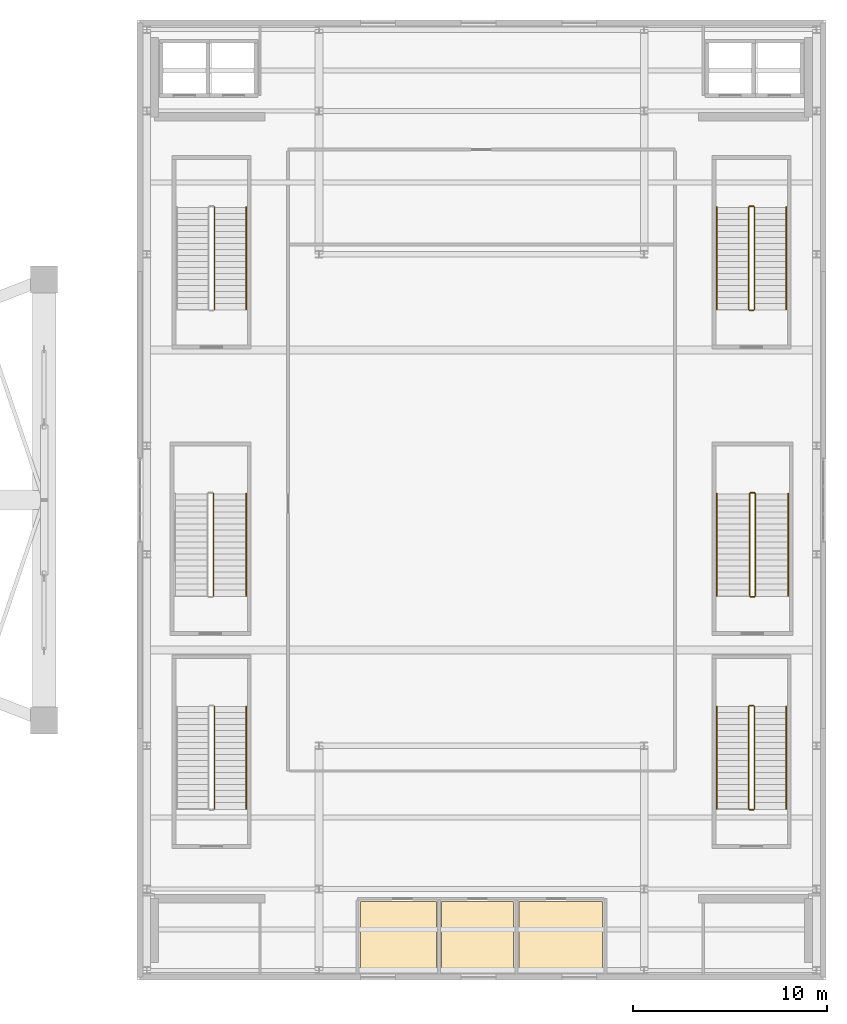
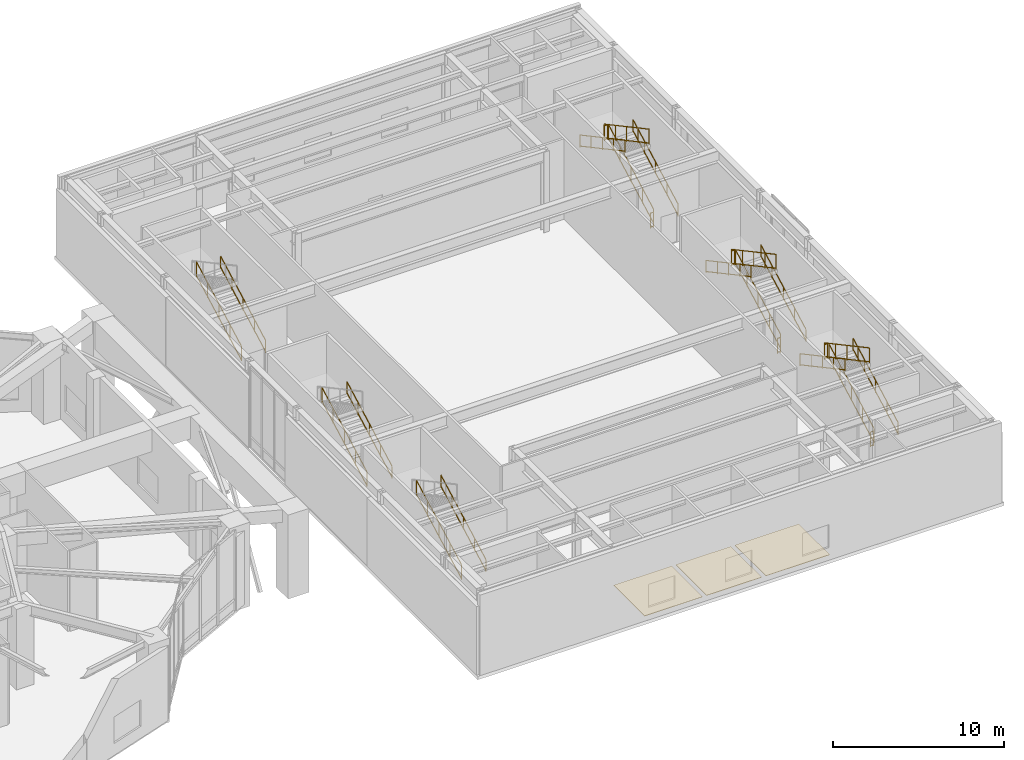
# One storey, part 25 of 25: 24 railings, 3 coverings.
"""IFC4 building model written with IfcOpenShell, lengths in metres."""

from ifc_helpers import new_model, si_unit, direction, frame, origin, origin_2d, place, context, subcontext, project, spatial, polyline, rectangle, outline, extrude, material, layer, layer_set, type_object, element, save


model = new_model("IFC4")

# Units and contexts
model_context = context("Model", 3, precision=1e-05, world=origin(), true_north=direction((0.0, 1.0)))
body_context = subcontext(model_context, "Body", "Model", "MODEL_VIEW")
ifc_project = project(units=[si_unit("LENGTHUNIT", "METRE"), si_unit("AREAUNIT", "SQUARE_METRE"), si_unit("VOLUMEUNIT", "CUBIC_METRE"), si_unit("PLANEANGLEUNIT", "RADIAN"), si_unit("MASSUNIT", "GRAM", prefix="KILO")], contexts=[model_context])

# Site, building, storey
site_placement = place(None, origin())
site = spatial("IfcSite", under=ifc_project, at=site_placement, CompositionType="ELEMENT")
building_placement = place(site_placement, origin())
building = spatial("IfcBuilding", under=site, at=building_placement, Name="Kolvaren Gate Tower and Convention Centre", CompositionType="ELEMENT")
storey_placement = place(building_placement, frame((0.0, 0.0, 15.0)))
storey = spatial("IfcBuildingStorey", under=building, at=storey_placement, Name="L03", CompositionType="ELEMENT", Elevation=15.0)

# Coverings
ifc_material_1 = material(Name="Honed Sabana Limestone Terrazzo Flooring 30 mm", Category="masonry")
ifc_layer = layer(ifc_material_1, 0.030029296875)
ifc_layer_set = layer_set([ifc_layer], Name="Honed Sabana Limestone Terrazzo Flooring 30 mm")
covering_type = type_object("IfcCoveringType", Name="ARCH-COV-FLR-30", PredefinedType="FLOORING", material=ifc_layer_set)
covering_1_placement = place(storey_placement, origin())
element("IfcCovering", 1, at=covering_1_placement, inside=storey, type_object=covering_type, Name="Convention L03 Delegate Male Restroom Interior Finish Flooring", PredefinedType="FLOORING", context=body_context, shape_type="SweptSolid", body=[
    extrude(outline(polyline([(73.739990234375, 6.260009765625), (77.659912109375, 6.260009765625), (77.659912109375, 2.639892578125), (73.739990234375, 2.639892578125), (73.739990234375, 6.260009765625)])), origin(), (0.0, 0.0, 1.0), 0.030029296875),
])
covering_2_placement = place(storey_placement, origin())
element("IfcCovering", 2, at=covering_2_placement, inside=storey, type_object=covering_type, Name="Convention L03 Accessible Restroom Interior Finish Flooring", PredefinedType="FLOORING", context=body_context, shape_type="SweptSolid", body=[
    extrude(outline(polyline([(77.93994140625, 6.260009765625), (81.659912109375, 6.260009765625), (81.659912109375, 2.639892578125), (77.93994140625, 2.639892578125), (77.93994140625, 6.260009765625)])), origin(), (0.0, 0.0, 1.0), 0.030029296875),
])
covering_3_placement = place(storey_placement, origin())
element("IfcCovering", 3, at=covering_3_placement, inside=storey, type_object=covering_type, Name="Convention L03 Delegate Female Restroom Interior Finish Flooring", PredefinedType="FLOORING", context=body_context, shape_type="SweptSolid", body=[
    extrude(outline(polyline([(81.93994140625, 6.260009765625), (86.260009765625, 6.260009765625), (86.260009765625, 2.639892578125), (81.93994140625, 2.639892578125), (81.93994140625, 6.260009765625)])), origin(), (0.0, 0.0, 1.0), 0.030029296875),
])

# Railings
ifc_material_2 = material(Name="Brushed Stainless Steel Grade 316L", Category="steel")
railing_type_1 = type_object("IfcRailingType", Name="ARCH-RL-GUARD-1150", PredefinedType="GUARDRAIL", material=ifc_material_2)
for number, where, name in (
    (4, (66.199951171875, 36.85009765625, 0.166748046875), "L03 ST-C1 stair guard 1"),
    (5, (66.199951171875, 11.050048828125, 0.166748046875), "L03 ST-C2 stair guard 1"),
    (6, (94.10009765625, 36.85009765625, 0.166748046875), "L03 ST-C3 stair guard 1"),
):
    element("IfcRailing", number, at=place(storey_placement, frame(where)), inside=storey, type_object=railing_type_1, Name=name, PredefinedType="GUARDRAIL", context=body_context, shape_type="SweptSolid", body=[
        extrude(rectangle(XDim=0.048095703125, YDim=0.048095703125, at=origin_2d()), frame((0.0, 0.0, 1.076171875), z_axis=(0.0, 0.88078142842, 0.473523046271), x_axis=(-1.0, 0.0, 0.0)), (0.0, 0.0, 1.0), 5.9833984375),
        extrude(rectangle(XDim=0.048095703125, YDim=0.048095703125, at=origin_2d()), frame((0.0, 0.0, 0.083984375), z_axis=(0.0, 0.88078142842, 0.473523046271), x_axis=(-1.0, 0.0, 0.0)), (0.0, 0.0, 1.0), 5.9833984375),
        extrude(rectangle(XDim=0.0419921875, YDim=0.0419921875, at=origin_2d()), origin(), (0.0, 0.0, 1.0), 1.050048828125),
        extrude(rectangle(XDim=0.0419921875, YDim=0.0419921875, at=origin_2d()), frame((0.0, 5.27001953125, 2.833251953125)), (0.0, 0.0, 1.0), 1.050048828125),
        extrude(rectangle(XDim=0.0419921875, YDim=0.0419921875, at=origin_2d()), frame((0.0, 1.3173828125, 0.708251953125)), (0.0, 0.0, 1.0), 1.050048828125),
        extrude(rectangle(XDim=0.0419921875, YDim=0.0419921875, at=origin_2d()), frame((0.0, 2.635009765625, 1.41650390625)), (0.0, 0.0, 1.0), 1.050048828125),
        extrude(rectangle(XDim=0.0419921875, YDim=0.0419921875, at=origin_2d()), frame((0.0, 3.95263671875, 2.125)), (0.0, 0.0, 1.0), 1.050048828125),
    ])
railing_1_placement = place(storey_placement, frame((94.050048828125, 42.169921875, 3.0)))
element("IfcRailing", 7, at=railing_1_placement, inside=storey, type_object=railing_type_1, Name="L03 ST-C3 stair guard 2", PredefinedType="GUARDRAIL", context=body_context, shape_type="SweptSolid", body=[
    extrude(rectangle(XDim=0.048095703125, YDim=0.048095703125, at=origin_2d()), frame((0.0, 0.0, 1.076171875), z_axis=(-1.0, 0.0, 0.0), x_axis=(0.0, -1.0, 0.0)), (0.0, 0.0, 1.0), 0.199951171875),
    extrude(rectangle(XDim=0.048095703125, YDim=0.048095703125, at=origin_2d()), frame((0.0, 0.0, 0.083984375), z_axis=(-1.0, 0.0, 0.0), x_axis=(0.0, -1.0, 0.0)), (0.0, 0.0, 1.0), 0.199951171875),
    extrude(rectangle(XDim=0.0419921875, YDim=0.0419921875, at=origin_2d()), origin(), (0.0, 0.0, 1.0), 1.050048828125),
    extrude(rectangle(XDim=0.0419921875, YDim=0.0419921875, at=origin_2d()), frame((-0.199951171875, 0.0, 0.0)), (0.0, 0.0, 1.0), 1.050048828125),
])
railing_2_placement = place(storey_placement, frame((93.800048828125, 42.1201171875, 3.166748046875)))
element("IfcRailing", 8, at=railing_2_placement, inside=storey, type_object=railing_type_1, Name="L03 ST-C3 stair guard 3", PredefinedType="GUARDRAIL", context=body_context, shape_type="SweptSolid", body=[
    extrude(rectangle(XDim=0.048095703125, YDim=0.048095703125, at=origin_2d()), frame((0.0, 0.0, 1.076171875), z_axis=(0.0, -0.88078142842, 0.473523046271), x_axis=(1.0, 0.0, 0.0)), (0.0, 0.0, 1.0), 5.9833984375),
    extrude(rectangle(XDim=0.048095703125, YDim=0.048095703125, at=origin_2d()), frame((0.0, 0.0, 0.083984375), z_axis=(0.0, -0.88078142842, 0.473523046271), x_axis=(1.0, 0.0, 0.0)), (0.0, 0.0, 1.0), 5.9833984375),
    extrude(rectangle(XDim=0.0419921875, YDim=0.0419921875, at=origin_2d()), origin(), (0.0, 0.0, 1.0), 1.050048828125),
    extrude(rectangle(XDim=0.0419921875, YDim=0.0419921875, at=origin_2d()), frame((0.0, -5.27001953125, 2.833251953125)), (0.0, 0.0, 1.0), 1.050048828125),
    extrude(rectangle(XDim=0.0419921875, YDim=0.0419921875, at=origin_2d()), frame((0.0, -1.3173828125, 0.708251953125)), (0.0, 0.0, 1.0), 1.050048828125),
    extrude(rectangle(XDim=0.0419921875, YDim=0.0419921875, at=origin_2d()), frame((0.0, -2.635009765625, 1.41650390625)), (0.0, 0.0, 1.0), 1.050048828125),
    extrude(rectangle(XDim=0.0419921875, YDim=0.0419921875, at=origin_2d()), frame((0.0, -3.95263671875, 2.125)), (0.0, 0.0, 1.0), 1.050048828125),
])
railing_3_placement = place(storey_placement, frame((94.050048828125, 36.800048828125, 0.0)))
element("IfcRailing", 9, at=railing_3_placement, inside=storey, type_object=railing_type_1, Name="L03 ST-C3 stair guard 4", PredefinedType="GUARDRAIL", context=body_context, shape_type="SweptSolid", body=[
    extrude(rectangle(XDim=0.048095703125, YDim=0.048095703125, at=origin_2d()), frame((0.0, 0.0, 1.076171875), z_axis=(-1.0, 0.0, 0.0), x_axis=(0.0, -1.0, 0.0)), (0.0, 0.0, 1.0), 0.199951171875),
    extrude(rectangle(XDim=0.048095703125, YDim=0.048095703125, at=origin_2d()), frame((0.0, 0.0, 0.083984375), z_axis=(-1.0, 0.0, 0.0), x_axis=(0.0, -1.0, 0.0)), (0.0, 0.0, 1.0), 0.199951171875),
    extrude(rectangle(XDim=0.0419921875, YDim=0.0419921875, at=origin_2d()), origin(), (0.0, 0.0, 1.0), 1.050048828125),
    extrude(rectangle(XDim=0.0419921875, YDim=0.0419921875, at=origin_2d()), frame((-0.199951171875, 0.0, 0.0)), (0.0, 0.0, 1.0), 1.050048828125),
])
railing_4_placement = place(storey_placement, frame((94.10009765625, 11.050048828125, 0.166748046875)))
element("IfcRailing", 10, at=railing_4_placement, inside=storey, type_object=railing_type_1, Name="L03 ST-C4 stair guard 1", PredefinedType="GUARDRAIL", context=body_context, shape_type="SweptSolid", body=[
    extrude(rectangle(XDim=0.048095703125, YDim=0.048095703125, at=origin_2d()), frame((0.0, 0.0, 1.076171875), z_axis=(0.0, 0.88078142842, 0.473523046271), x_axis=(-1.0, 0.0, 0.0)), (0.0, 0.0, 1.0), 5.9833984375),
    extrude(rectangle(XDim=0.048095703125, YDim=0.048095703125, at=origin_2d()), frame((0.0, 0.0, 0.083984375), z_axis=(0.0, 0.88078142842, 0.473523046271), x_axis=(-1.0, 0.0, 0.0)), (0.0, 0.0, 1.0), 5.9833984375),
    extrude(rectangle(XDim=0.0419921875, YDim=0.0419921875, at=origin_2d()), origin(), (0.0, 0.0, 1.0), 1.050048828125),
    extrude(rectangle(XDim=0.0419921875, YDim=0.0419921875, at=origin_2d()), frame((0.0, 5.27001953125, 2.833251953125)), (0.0, 0.0, 1.0), 1.050048828125),
    extrude(rectangle(XDim=0.0419921875, YDim=0.0419921875, at=origin_2d()), frame((0.0, 1.3173828125, 0.708251953125)), (0.0, 0.0, 1.0), 1.050048828125),
    extrude(rectangle(XDim=0.0419921875, YDim=0.0419921875, at=origin_2d()), frame((0.0, 2.635009765625, 1.41650390625)), (0.0, 0.0, 1.0), 1.050048828125),
    extrude(rectangle(XDim=0.0419921875, YDim=0.0419921875, at=origin_2d()), frame((0.0, 3.95263671875, 2.125)), (0.0, 0.0, 1.0), 1.050048828125),
])
railing_5_placement = place(storey_placement, frame((94.050048828125, 16.3701171875, 3.0)))
element("IfcRailing", 11, at=railing_5_placement, inside=storey, type_object=railing_type_1, Name="L03 ST-C4 stair guard 2", PredefinedType="GUARDRAIL", context=body_context, shape_type="SweptSolid", body=[
    extrude(rectangle(XDim=0.048095703125, YDim=0.048095703125, at=origin_2d()), frame((0.0, 0.0, 1.076171875), z_axis=(-1.0, 0.0, 0.0), x_axis=(0.0, -1.0, 0.0)), (0.0, 0.0, 1.0), 0.199951171875),
    extrude(rectangle(XDim=0.048095703125, YDim=0.048095703125, at=origin_2d()), frame((0.0, 0.0, 0.083984375), z_axis=(-1.0, 0.0, 0.0), x_axis=(0.0, -1.0, 0.0)), (0.0, 0.0, 1.0), 0.199951171875),
    extrude(rectangle(XDim=0.0419921875, YDim=0.0419921875, at=origin_2d()), origin(), (0.0, 0.0, 1.0), 1.050048828125),
    extrude(rectangle(XDim=0.0419921875, YDim=0.0419921875, at=origin_2d()), frame((-0.199951171875, 0.0, 0.0)), (0.0, 0.0, 1.0), 1.050048828125),
])
railing_6_placement = place(storey_placement, frame((93.800048828125, 16.320068359375, 3.166748046875)))
element("IfcRailing", 12, at=railing_6_placement, inside=storey, type_object=railing_type_1, Name="L03 ST-C4 stair guard 3", PredefinedType="GUARDRAIL", context=body_context, shape_type="SweptSolid", body=[
    extrude(rectangle(XDim=0.048095703125, YDim=0.048095703125, at=origin_2d()), frame((0.0, 0.0, 1.076171875), z_axis=(0.0, -0.88078142842, 0.473523046271), x_axis=(1.0, 0.0, 0.0)), (0.0, 0.0, 1.0), 5.9833984375),
    extrude(rectangle(XDim=0.048095703125, YDim=0.048095703125, at=origin_2d()), frame((0.0, 0.0, 0.083984375), z_axis=(0.0, -0.88078142842, 0.473523046271), x_axis=(1.0, 0.0, 0.0)), (0.0, 0.0, 1.0), 5.9833984375),
    extrude(rectangle(XDim=0.0419921875, YDim=0.0419921875, at=origin_2d()), origin(), (0.0, 0.0, 1.0), 1.050048828125),
    extrude(rectangle(XDim=0.0419921875, YDim=0.0419921875, at=origin_2d()), frame((0.0, -5.27001953125, 2.833251953125)), (0.0, 0.0, 1.0), 1.050048828125),
    extrude(rectangle(XDim=0.0419921875, YDim=0.0419921875, at=origin_2d()), frame((0.0, -1.3173828125, 0.708251953125)), (0.0, 0.0, 1.0), 1.050048828125),
    extrude(rectangle(XDim=0.0419921875, YDim=0.0419921875, at=origin_2d()), frame((0.0, -2.635009765625, 1.41650390625)), (0.0, 0.0, 1.0), 1.050048828125),
    extrude(rectangle(XDim=0.0419921875, YDim=0.0419921875, at=origin_2d()), frame((0.0, -3.95263671875, 2.125)), (0.0, 0.0, 1.0), 1.050048828125),
])
railing_7_placement = place(storey_placement, frame((94.050048828125, 11.0, 0.0)))
element("IfcRailing", 13, at=railing_7_placement, inside=storey, type_object=railing_type_1, Name="L03 ST-C4 stair guard 4", PredefinedType="GUARDRAIL", context=body_context, shape_type="SweptSolid", body=[
    extrude(rectangle(XDim=0.048095703125, YDim=0.048095703125, at=origin_2d()), frame((0.0, 0.0, 1.076171875), z_axis=(-1.0, 0.0, 0.0), x_axis=(0.0, -1.0, 0.0)), (0.0, 0.0, 1.0), 0.199951171875),
    extrude(rectangle(XDim=0.048095703125, YDim=0.048095703125, at=origin_2d()), frame((0.0, 0.0, 0.083984375), z_axis=(-1.0, 0.0, 0.0), x_axis=(0.0, -1.0, 0.0)), (0.0, 0.0, 1.0), 0.199951171875),
    extrude(rectangle(XDim=0.0419921875, YDim=0.0419921875, at=origin_2d()), origin(), (0.0, 0.0, 1.0), 1.050048828125),
    extrude(rectangle(XDim=0.0419921875, YDim=0.0419921875, at=origin_2d()), frame((-0.199951171875, 0.0, 0.0)), (0.0, 0.0, 1.0), 1.050048828125),
])
for number, where, name in (
    (14, (66.14990234375, 22.050048828125, 0.166748046875), "L03 ST-C5 stair guard 1"),
    (15, (94.14990234375, 22.050048828125, 0.166748046875), "L03 ST-C6 stair guard 1"),
):
    element("IfcRailing", number, at=place(storey_placement, frame(where)), inside=storey, type_object=railing_type_1, Name=name, PredefinedType="GUARDRAIL", context=body_context, shape_type="SweptSolid", body=[
        extrude(rectangle(XDim=0.048095703125, YDim=0.048095703125, at=origin_2d()), frame((0.0, 0.0, 1.076171875), z_axis=(0.0, 0.88078142842, 0.473523046271), x_axis=(-1.0, 0.0, 0.0)), (0.0, 0.0, 1.0), 5.9833984375),
        extrude(rectangle(XDim=0.048095703125, YDim=0.048095703125, at=origin_2d()), frame((0.0, 0.0, 0.083984375), z_axis=(0.0, 0.88078142842, 0.473523046271), x_axis=(-1.0, 0.0, 0.0)), (0.0, 0.0, 1.0), 5.9833984375),
        extrude(rectangle(XDim=0.0419921875, YDim=0.0419921875, at=origin_2d()), origin(), (0.0, 0.0, 1.0), 1.050048828125),
        extrude(rectangle(XDim=0.0419921875, YDim=0.0419921875, at=origin_2d()), frame((0.0, 5.27001953125, 2.833251953125)), (0.0, 0.0, 1.0), 1.050048828125),
        extrude(rectangle(XDim=0.0419921875, YDim=0.0419921875, at=origin_2d()), frame((0.0, 1.3173828125, 0.708251953125)), (0.0, 0.0, 1.0), 1.050048828125),
        extrude(rectangle(XDim=0.0419921875, YDim=0.0419921875, at=origin_2d()), frame((0.0, 2.635009765625, 1.41650390625)), (0.0, 0.0, 1.0), 1.050048828125),
        extrude(rectangle(XDim=0.0419921875, YDim=0.0419921875, at=origin_2d()), frame((0.0, 3.95263671875, 2.125)), (0.0, 0.0, 1.0), 1.050048828125),
    ])
railing_8_placement = place(storey_placement, frame((94.10009765625, 27.3701171875, 3.0)))
element("IfcRailing", 16, at=railing_8_placement, inside=storey, type_object=railing_type_1, Name="L03 ST-C6 stair guard 2", PredefinedType="GUARDRAIL", context=body_context, shape_type="SweptSolid", body=[
    extrude(rectangle(XDim=0.048095703125, YDim=0.048095703125, at=origin_2d()), frame((0.0, 0.0, 1.076171875), z_axis=(-1.0, 0.0, 0.0), x_axis=(0.0, -1.0, 0.0)), (0.0, 0.0, 1.0), 0.2001953125),
    extrude(rectangle(XDim=0.048095703125, YDim=0.048095703125, at=origin_2d()), frame((0.0, 0.0, 0.083984375), z_axis=(-1.0, 0.0, 0.0), x_axis=(0.0, -1.0, 0.0)), (0.0, 0.0, 1.0), 0.2001953125),
    extrude(rectangle(XDim=0.0419921875, YDim=0.0419921875, at=origin_2d()), origin(), (0.0, 0.0, 1.0), 1.050048828125),
    extrude(rectangle(XDim=0.0419921875, YDim=0.0419921875, at=origin_2d()), frame((-0.2001953125, 0.0, 0.0)), (0.0, 0.0, 1.0), 1.050048828125),
])
railing_9_placement = place(storey_placement, frame((93.85009765625, 27.320068359375, 3.166748046875)))
element("IfcRailing", 17, at=railing_9_placement, inside=storey, type_object=railing_type_1, Name="L03 ST-C6 stair guard 3", PredefinedType="GUARDRAIL", context=body_context, shape_type="SweptSolid", body=[
    extrude(rectangle(XDim=0.048095703125, YDim=0.048095703125, at=origin_2d()), frame((0.0, 0.0, 1.076171875), z_axis=(0.0, -0.88078142842, 0.473523046271), x_axis=(1.0, 0.0, 0.0)), (0.0, 0.0, 1.0), 5.9833984375),
    extrude(rectangle(XDim=0.048095703125, YDim=0.048095703125, at=origin_2d()), frame((0.0, 0.0, 0.083984375), z_axis=(0.0, -0.88078142842, 0.473523046271), x_axis=(1.0, 0.0, 0.0)), (0.0, 0.0, 1.0), 5.9833984375),
    extrude(rectangle(XDim=0.0419921875, YDim=0.0419921875, at=origin_2d()), origin(), (0.0, 0.0, 1.0), 1.050048828125),
    extrude(rectangle(XDim=0.0419921875, YDim=0.0419921875, at=origin_2d()), frame((0.0, -5.27001953125, 2.833251953125)), (0.0, 0.0, 1.0), 1.050048828125),
    extrude(rectangle(XDim=0.0419921875, YDim=0.0419921875, at=origin_2d()), frame((0.0, -1.3173828125, 0.708251953125)), (0.0, 0.0, 1.0), 1.050048828125),
    extrude(rectangle(XDim=0.0419921875, YDim=0.0419921875, at=origin_2d()), frame((0.0, -2.635009765625, 1.41650390625)), (0.0, 0.0, 1.0), 1.050048828125),
    extrude(rectangle(XDim=0.0419921875, YDim=0.0419921875, at=origin_2d()), frame((0.0, -3.95263671875, 2.125)), (0.0, 0.0, 1.0), 1.050048828125),
])
railing_10_placement = place(storey_placement, frame((94.10009765625, 22.0, 0.0)))
element("IfcRailing", 18, at=railing_10_placement, inside=storey, type_object=railing_type_1, Name="L03 ST-C6 stair guard 4", PredefinedType="GUARDRAIL", context=body_context, shape_type="SweptSolid", body=[
    extrude(rectangle(XDim=0.048095703125, YDim=0.048095703125, at=origin_2d()), frame((0.0, 0.0, 1.076171875), z_axis=(-1.0, 0.0, 0.0), x_axis=(0.0, -1.0, 0.0)), (0.0, 0.0, 1.0), 0.2001953125),
    extrude(rectangle(XDim=0.048095703125, YDim=0.048095703125, at=origin_2d()), frame((0.0, 0.0, 0.083984375), z_axis=(-1.0, 0.0, 0.0), x_axis=(0.0, -1.0, 0.0)), (0.0, 0.0, 1.0), 0.2001953125),
    extrude(rectangle(XDim=0.0419921875, YDim=0.0419921875, at=origin_2d()), origin(), (0.0, 0.0, 1.0), 1.050048828125),
    extrude(rectangle(XDim=0.0419921875, YDim=0.0419921875, at=origin_2d()), frame((-0.2001953125, 0.0, 0.0)), (0.0, 0.0, 1.0), 1.050048828125),
])
railing_type_2 = type_object("IfcRailingType", Name="ARCH-RL-HANDRAIL-920", PredefinedType="HANDRAIL", material=ifc_material_2)
for number, where, name in (
    (19, (67.85009765625, 36.85009765625, 0.166748046875), "L03 ST-C1 stair handrail 1"),
    (20, (67.85009765625, 11.050048828125, 0.166748046875), "L03 ST-C2 stair handrail 1"),
    (21, (95.75, 36.85009765625, 0.166748046875), "L03 ST-C3 stair handrail 1"),
):
    element("IfcRailing", number, at=place(storey_placement, frame(where)), inside=storey, type_object=railing_type_2, Name=name, PredefinedType="HANDRAIL", context=body_context, shape_type="SweptSolid", body=[
        extrude(rectangle(XDim=0.048095703125, YDim=0.048095703125, at=origin_2d()), frame((0.0, 0.0, 0.8759765625), z_axis=(0.0, 0.88078142842, 0.473523046271), x_axis=(-1.0, 0.0, 0.0)), (0.0, 0.0, 1.0), 5.9833984375),
        extrude(rectangle(XDim=0.048095703125, YDim=0.048095703125, at=origin_2d()), frame((0.0, 0.0, 0.083984375), z_axis=(0.0, 0.88078142842, 0.473523046271), x_axis=(-1.0, 0.0, 0.0)), (0.0, 0.0, 1.0), 5.9833984375),
        extrude(rectangle(XDim=0.0419921875, YDim=0.0419921875, at=origin_2d()), origin(), (0.0, 0.0, 1.0), 0.849853515625),
        extrude(rectangle(XDim=0.0419921875, YDim=0.0419921875, at=origin_2d()), frame((0.0, 5.27001953125, 2.833251953125)), (0.0, 0.0, 1.0), 0.849853515625),
        extrude(rectangle(XDim=0.0419921875, YDim=0.0419921875, at=origin_2d()), frame((0.0, 1.3173828125, 0.708251953125)), (0.0, 0.0, 1.0), 0.849853515625),
        extrude(rectangle(XDim=0.0419921875, YDim=0.0419921875, at=origin_2d()), frame((0.0, 2.635009765625, 1.41650390625)), (0.0, 0.0, 1.0), 0.849853515625),
        extrude(rectangle(XDim=0.0419921875, YDim=0.0419921875, at=origin_2d()), frame((0.0, 3.95263671875, 2.125)), (0.0, 0.0, 1.0), 0.849853515625),
    ])
railing_11_placement = place(storey_placement, frame((92.14990234375, 42.1201171875, 3.166748046875)))
element("IfcRailing", 22, at=railing_11_placement, inside=storey, type_object=railing_type_2, Name="L03 ST-C3 stair handrail 2", PredefinedType="HANDRAIL", context=body_context, shape_type="SweptSolid", body=[
    extrude(rectangle(XDim=0.048095703125, YDim=0.048095703125, at=origin_2d()), frame((0.0, 0.0, 0.8759765625), z_axis=(0.0, -0.88078142842, 0.473523046271), x_axis=(1.0, 0.0, 0.0)), (0.0, 0.0, 1.0), 5.9833984375),
    extrude(rectangle(XDim=0.048095703125, YDim=0.048095703125, at=origin_2d()), frame((0.0, 0.0, 0.083984375), z_axis=(0.0, -0.88078142842, 0.473523046271), x_axis=(1.0, 0.0, 0.0)), (0.0, 0.0, 1.0), 5.9833984375),
    extrude(rectangle(XDim=0.0419921875, YDim=0.0419921875, at=origin_2d()), origin(), (0.0, 0.0, 1.0), 0.849853515625),
    extrude(rectangle(XDim=0.0419921875, YDim=0.0419921875, at=origin_2d()), frame((0.0, -5.27001953125, 2.833251953125)), (0.0, 0.0, 1.0), 0.849853515625),
    extrude(rectangle(XDim=0.0419921875, YDim=0.0419921875, at=origin_2d()), frame((0.0, -1.3173828125, 0.708251953125)), (0.0, 0.0, 1.0), 0.849853515625),
    extrude(rectangle(XDim=0.0419921875, YDim=0.0419921875, at=origin_2d()), frame((0.0, -2.635009765625, 1.41650390625)), (0.0, 0.0, 1.0), 0.849853515625),
    extrude(rectangle(XDim=0.0419921875, YDim=0.0419921875, at=origin_2d()), frame((0.0, -3.95263671875, 2.125)), (0.0, 0.0, 1.0), 0.849853515625),
])
railing_12_placement = place(storey_placement, frame((95.75, 11.050048828125, 0.166748046875)))
element("IfcRailing", 23, at=railing_12_placement, inside=storey, type_object=railing_type_2, Name="L03 ST-C4 stair handrail 1", PredefinedType="HANDRAIL", context=body_context, shape_type="SweptSolid", body=[
    extrude(rectangle(XDim=0.048095703125, YDim=0.048095703125, at=origin_2d()), frame((0.0, 0.0, 0.8759765625), z_axis=(0.0, 0.88078142842, 0.473523046271), x_axis=(-1.0, 0.0, 0.0)), (0.0, 0.0, 1.0), 5.9833984375),
    extrude(rectangle(XDim=0.048095703125, YDim=0.048095703125, at=origin_2d()), frame((0.0, 0.0, 0.083984375), z_axis=(0.0, 0.88078142842, 0.473523046271), x_axis=(-1.0, 0.0, 0.0)), (0.0, 0.0, 1.0), 5.9833984375),
    extrude(rectangle(XDim=0.0419921875, YDim=0.0419921875, at=origin_2d()), origin(), (0.0, 0.0, 1.0), 0.849853515625),
    extrude(rectangle(XDim=0.0419921875, YDim=0.0419921875, at=origin_2d()), frame((0.0, 5.27001953125, 2.833251953125)), (0.0, 0.0, 1.0), 0.849853515625),
    extrude(rectangle(XDim=0.0419921875, YDim=0.0419921875, at=origin_2d()), frame((0.0, 1.3173828125, 0.708251953125)), (0.0, 0.0, 1.0), 0.849853515625),
    extrude(rectangle(XDim=0.0419921875, YDim=0.0419921875, at=origin_2d()), frame((0.0, 2.635009765625, 1.41650390625)), (0.0, 0.0, 1.0), 0.849853515625),
    extrude(rectangle(XDim=0.0419921875, YDim=0.0419921875, at=origin_2d()), frame((0.0, 3.95263671875, 2.125)), (0.0, 0.0, 1.0), 0.849853515625),
])
railing_13_placement = place(storey_placement, frame((92.14990234375, 16.320068359375, 3.166748046875)))
element("IfcRailing", 24, at=railing_13_placement, inside=storey, type_object=railing_type_2, Name="L03 ST-C4 stair handrail 2", PredefinedType="HANDRAIL", context=body_context, shape_type="SweptSolid", body=[
    extrude(rectangle(XDim=0.048095703125, YDim=0.048095703125, at=origin_2d()), frame((0.0, 0.0, 0.8759765625), z_axis=(0.0, -0.88078142842, 0.473523046271), x_axis=(1.0, 0.0, 0.0)), (0.0, 0.0, 1.0), 5.9833984375),
    extrude(rectangle(XDim=0.048095703125, YDim=0.048095703125, at=origin_2d()), frame((0.0, 0.0, 0.083984375), z_axis=(0.0, -0.88078142842, 0.473523046271), x_axis=(1.0, 0.0, 0.0)), (0.0, 0.0, 1.0), 5.9833984375),
    extrude(rectangle(XDim=0.0419921875, YDim=0.0419921875, at=origin_2d()), origin(), (0.0, 0.0, 1.0), 0.849853515625),
    extrude(rectangle(XDim=0.0419921875, YDim=0.0419921875, at=origin_2d()), frame((0.0, -5.27001953125, 2.833251953125)), (0.0, 0.0, 1.0), 0.849853515625),
    extrude(rectangle(XDim=0.0419921875, YDim=0.0419921875, at=origin_2d()), frame((0.0, -1.3173828125, 0.708251953125)), (0.0, 0.0, 1.0), 0.849853515625),
    extrude(rectangle(XDim=0.0419921875, YDim=0.0419921875, at=origin_2d()), frame((0.0, -2.635009765625, 1.41650390625)), (0.0, 0.0, 1.0), 0.849853515625),
    extrude(rectangle(XDim=0.0419921875, YDim=0.0419921875, at=origin_2d()), frame((0.0, -3.95263671875, 2.125)), (0.0, 0.0, 1.0), 0.849853515625),
])
for number, where, name in (
    (25, (67.85009765625, 22.050048828125, 0.166748046875), "L03 ST-C5 stair handrail 1"),
    (26, (95.85009765625, 22.050048828125, 0.166748046875), "L03 ST-C6 stair handrail 1"),
):
    element("IfcRailing", number, at=place(storey_placement, frame(where)), inside=storey, type_object=railing_type_2, Name=name, PredefinedType="HANDRAIL", context=body_context, shape_type="SweptSolid", body=[
        extrude(rectangle(XDim=0.048095703125, YDim=0.048095703125, at=origin_2d()), frame((0.0, 0.0, 0.8759765625), z_axis=(0.0, 0.88078142842, 0.473523046271), x_axis=(-1.0, 0.0, 0.0)), (0.0, 0.0, 1.0), 5.9833984375),
        extrude(rectangle(XDim=0.048095703125, YDim=0.048095703125, at=origin_2d()), frame((0.0, 0.0, 0.083984375), z_axis=(0.0, 0.88078142842, 0.473523046271), x_axis=(-1.0, 0.0, 0.0)), (0.0, 0.0, 1.0), 5.9833984375),
        extrude(rectangle(XDim=0.0419921875, YDim=0.0419921875, at=origin_2d()), origin(), (0.0, 0.0, 1.0), 0.849853515625),
        extrude(rectangle(XDim=0.0419921875, YDim=0.0419921875, at=origin_2d()), frame((0.0, 5.27001953125, 2.833251953125)), (0.0, 0.0, 1.0), 0.849853515625),
        extrude(rectangle(XDim=0.0419921875, YDim=0.0419921875, at=origin_2d()), frame((0.0, 1.3173828125, 0.708251953125)), (0.0, 0.0, 1.0), 0.849853515625),
        extrude(rectangle(XDim=0.0419921875, YDim=0.0419921875, at=origin_2d()), frame((0.0, 2.635009765625, 1.41650390625)), (0.0, 0.0, 1.0), 0.849853515625),
        extrude(rectangle(XDim=0.0419921875, YDim=0.0419921875, at=origin_2d()), frame((0.0, 3.95263671875, 2.125)), (0.0, 0.0, 1.0), 0.849853515625),
    ])
railing_14_placement = place(storey_placement, frame((92.14990234375, 27.320068359375, 3.166748046875)))
element("IfcRailing", 27, at=railing_14_placement, inside=storey, type_object=railing_type_2, Name="L03 ST-C6 stair handrail 2", PredefinedType="HANDRAIL", context=body_context, shape_type="SweptSolid", body=[
    extrude(rectangle(XDim=0.048095703125, YDim=0.048095703125, at=origin_2d()), frame((0.0, 0.0, 0.8759765625), z_axis=(0.0, -0.88078142842, 0.473523046271), x_axis=(1.0, 0.0, 0.0)), (0.0, 0.0, 1.0), 5.9833984375),
    extrude(rectangle(XDim=0.048095703125, YDim=0.048095703125, at=origin_2d()), frame((0.0, 0.0, 0.083984375), z_axis=(0.0, -0.88078142842, 0.473523046271), x_axis=(1.0, 0.0, 0.0)), (0.0, 0.0, 1.0), 5.9833984375),
    extrude(rectangle(XDim=0.0419921875, YDim=0.0419921875, at=origin_2d()), origin(), (0.0, 0.0, 1.0), 0.849853515625),
    extrude(rectangle(XDim=0.0419921875, YDim=0.0419921875, at=origin_2d()), frame((0.0, -5.27001953125, 2.833251953125)), (0.0, 0.0, 1.0), 0.849853515625),
    extrude(rectangle(XDim=0.0419921875, YDim=0.0419921875, at=origin_2d()), frame((0.0, -1.3173828125, 0.708251953125)), (0.0, 0.0, 1.0), 0.849853515625),
    extrude(rectangle(XDim=0.0419921875, YDim=0.0419921875, at=origin_2d()), frame((0.0, -2.635009765625, 1.41650390625)), (0.0, 0.0, 1.0), 0.849853515625),
    extrude(rectangle(XDim=0.0419921875, YDim=0.0419921875, at=origin_2d()), frame((0.0, -3.95263671875, 2.125)), (0.0, 0.0, 1.0), 0.849853515625),
])

save(model, "model.ifc")
